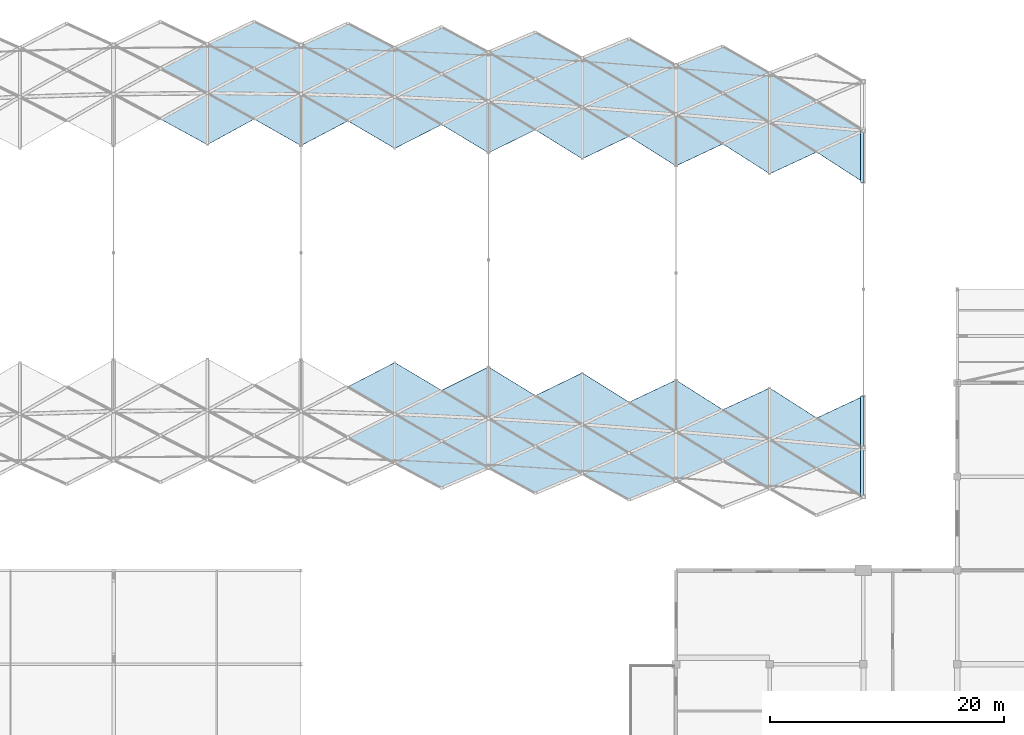
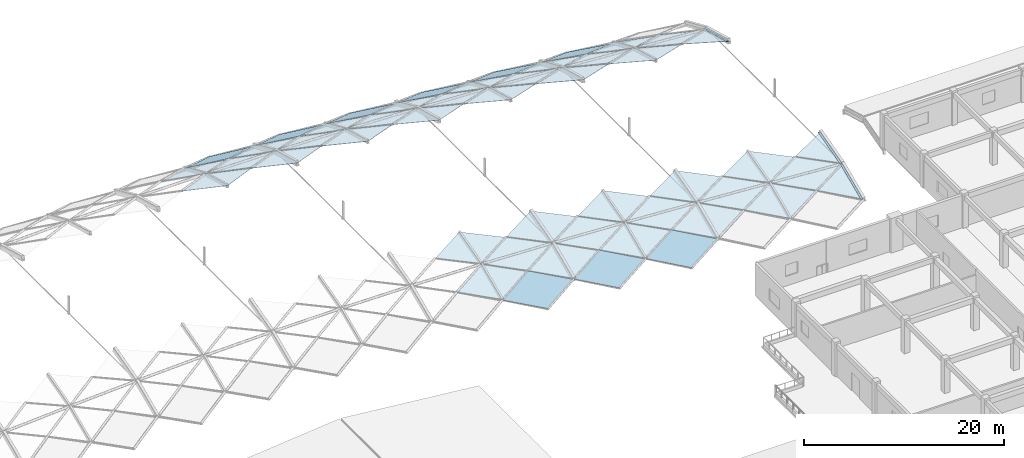
# One storey, part 33 of 54: 51 plates.
"""IFC4 building model written with IfcOpenShell, lengths in metres."""

from ifc_helpers import new_model, si_unit, direction, frame, origin, place, context, subcontext, project, spatial, polyline, outline, extrude, material, layer, layer_set, type_object, element, save


model = new_model("IFC4")

# Units and contexts
model_context = context("Model", 3, precision=1e-05, world=origin(), true_north=direction((0.0, 1.0)))
body_context = subcontext(model_context, "Body", "Model", "MODEL_VIEW")
ifc_project = project(units=[si_unit("LENGTHUNIT", "METRE"), si_unit("AREAUNIT", "SQUARE_METRE"), si_unit("VOLUMEUNIT", "CUBIC_METRE"), si_unit("PLANEANGLEUNIT", "RADIAN"), si_unit("MASSUNIT", "GRAM", prefix="KILO")], contexts=[model_context])

# Site, building, storey
site_placement = place(None, origin())
site = spatial("IfcSite", under=ifc_project, at=site_placement, CompositionType="ELEMENT")
building_placement = place(site_placement, origin())
building = spatial("IfcBuilding", under=site, at=building_placement, Name="Kenh Van Central Station", CompositionType="ELEMENT")
storey_placement = place(building_placement, frame((0.0, 0.0, 15.0)))
storey = spatial("IfcBuildingStorey", under=building, at=storey_placement, Name="L03", CompositionType="ELEMENT", Elevation=15.0)

# Plates
ifc_material_1 = material(Name="White fluoropolymer structural steel S355", Category="steel")
ifc_layer_1 = layer(ifc_material_1, 0.008056640625, Name="White fluoropolymer structural steel S355")
ifc_layer_set_1 = layer_set([ifc_layer_1], Name="White fluoropolymer structural steel S355")
plate_type_1 = type_object("IfcPlateType", Name="PLT-FASCIA-SH1", PredefinedType="SHEET", material=ifc_layer_set_1)
plate_1_placement = place(storey_placement, frame((144.0, 70.26953125, 2.228515625), z_axis=(0.0, -0.401679525559, 0.91578030048), x_axis=(-1.0, 0.0, 0.0)))
element("IfcPlate", 1, at=plate_1_placement, inside=storey, type_object=plate_type_1, Name="Vault portal arch trim plate 15", PredefinedType="SHEET", context=body_context, shape_type="SweptSolid", body=[
    extrude(outline(polyline([(0.0, 0.0), (0.260009765625, 0.0), (0.260009765625, -4.5822006220298945), (0.0, -4.5822006220298945), (0.0, 0.0)])), origin(), (0.0, 0.0, -1.0), 0.008056640625),
])
plate_2_placement = place(storey_placement, frame((144.0, 97.113037109375, 5.28173828125), z_axis=(0.0, 0.264514030829, 0.964381836979), x_axis=(-1.0, 0.0, 0.0)))
element("IfcPlate", 2, at=plate_2_placement, inside=storey, type_object=plate_type_1, Name="Vault portal arch trim plate 21", PredefinedType="SHEET", context=body_context, shape_type="SweptSolid", body=[
    extrude(outline(polyline([(0.0, 0.0), (0.260009765625, 0.0), (0.260009765625, -4.58443161059), (0.0, -4.58443161059), (0.0, 0.0)])), origin(), (0.0, 0.0, -1.0), 0.008056640625),
])
ifc_layer_2 = layer(ifc_material_1, 0.010009765625, Name="White fluoropolymer structural steel S355")
ifc_layer_set_2 = layer_set([ifc_layer_2], Name="White fluoropolymer structural steel S355")
plate_type_2 = type_object("IfcPlateType", Name="PLT-FASCIA-SH2", PredefinedType="SHEET", material=ifc_layer_set_2)
plate_3_placement = place(storey_placement, frame((144.0, 74.4658203125, 4.069091796875), z_axis=(0.0, -0.264514030829, 0.964381836979), x_axis=(-1.0, 0.0, 0.0)))
element("IfcPlate", 3, at=plate_3_placement, inside=storey, type_object=plate_type_2, Name="Vault portal arch trim plate 16", PredefinedType="SHEET", context=body_context, shape_type="SweptSolid", body=[
    extrude(outline(polyline([(0.0, 0.0), (0.260009765625, 0.0), (0.260009765625, -4.58443161059), (0.0, -4.58443161059), (0.0, 0.0)])), origin(), (0.0, 0.0, -1.0), 0.010009765625),
])
ifc_material_2 = material(Name="Double-glazed low-E laminated solar glass", Category="glass")
ifc_layer_3 = layer(ifc_material_2, 0.02490234375, Name="Double-glazed low-E laminated solar glass")
ifc_layer_set_3 = layer_set([ifc_layer_3], Name="Double-glazed low-E laminated solar glass")
plate_type_3 = type_object("IfcPlateType", Name="PLT-VAULT-GLZ2", PredefinedType="SHEET", material=ifc_layer_set_3)
plate_4_placement = place(storey_placement, frame((84.011962890625, 102.513916015625, 4.713134765625), z_axis=(0.0, 0.264666223811, 0.964340080041), x_axis=(0.869914389763, -0.475615181245, 0.130534109919)))
element("IfcPlate", 4, at=plate_4_placement, inside=storey, type_object=plate_type_3, Name="Vault planar diamond skylight pane 127", PredefinedType="SHEET", context=body_context, shape_type="SweptSolid", body=[
    extrude(outline(polyline([(0.0, 0.0), (4.5844018173562295, 3.885780586188048e-16), (6.938501736710333, 3.9338217540549683), (2.3351116527120626, 3.9673133887323937), (0.0, 0.0)])), origin(), (0.0, 0.0, -1.0), 0.02490234375),
])
plate_5_placement = place(storey_placement, frame((96.01123046875, 108.823974609375, 2.181396484375), z_axis=(0.014362297566, 0.485228812285, 0.874269251511), x_axis=(0.860170492492, -0.451793967057, 0.236619811465)))
element("IfcPlate", 5, at=plate_5_placement, inside=storey, type_object=plate_type_3, Name="Vault planar diamond skylight pane 158", PredefinedType="SHEET", context=body_context, shape_type="SweptSolid", body=[
    extrude(outline(polyline([(0.0, 0.0), (4.63803703359129, 0.0), (6.967445008751172, 3.8894994074707343), (2.315378106504137, 3.9189206154655465), (0.0, 0.0)])), origin(), (0.0, 0.0, -1.0), 0.02490234375),
])
plate_6_placement = place(storey_placement, frame((100.012451171875, 79.687255859375, 4.708251953125), z_axis=(-0.010275838675, -0.264339881512, 0.964374841118), x_axis=(0.855569987113, -0.501523066409, -0.128353461237)))
element("IfcPlate", 6, at=plate_6_placement, inside=storey, type_object=plate_type_3, Name="Vault planar diamond skylight pane 162", PredefinedType="SHEET", context=body_context, shape_type="SweptSolid", body=[
    extrude(outline(polyline([(0.0, 0.0), (4.660122010327915, 0.0), (6.979591253248856, 3.8728803508679075), (2.2995879690794343, 3.9019705568386867), (0.0, 0.0)])), origin(), (0.0, 0.0, -1.0), 0.02490234375),
])
plate_7_placement = place(storey_placement, frame((100.01123046875, 106.67333984375, 3.1962890625), z_axis=(0.015617906656, 0.401761425559, 0.915611182722), x_axis=(0.856374799829, -0.478053927754, 0.195157998498)))
element("IfcPlate", 7, at=plate_7_placement, inside=storey, type_object=plate_type_3, Name="Vault planar diamond skylight pane 166", PredefinedType="SHEET", context=body_context, shape_type="SweptSolid", body=[
    extrude(outline(polyline([(0.0, 0.0), (4.658592997894369, -2.7755575615628914e-16), (6.97873369107624, 3.8744254210920173), (2.305721096640206, 3.9040264780513465), (0.0, 0.0)])), origin(), (0.0, 0.0, -1.0), 0.02490234375),
])
plate_8_placement = place(storey_placement, frame((104.0126953125, 77.36279296875, 4.027587890625), z_axis=(-0.015676217949, -0.328928735007, 0.944224625541), x_axis=(0.85253572201, -0.497813194777, -0.15926351058)))
element("IfcPlate", 8, at=plate_8_placement, inside=storey, type_object=plate_type_3, Name="Vault planar diamond skylight pane 170", PredefinedType="SHEET", context=body_context, shape_type="SweptSolid", body=[
    extrude(outline(polyline([(0.0, 0.0), (4.6761372861753285, -4.163336342344337e-16), (6.98912040584648, 3.861923406293924), (2.2937041012917625, 3.8877831180898847), (0.0, 0.0)])), origin(), (0.0, 0.0, -1.0), 0.02490234375),
])
plate_9_placement = place(storey_placement, frame((104.011474609375, 104.404296875, 4.032958984375), z_axis=(0.015688863397, 0.329183993772, 0.944135455223), x_axis=(0.852656596405, -0.497587698616, 0.159321093372)))
element("IfcPlate", 9, at=plate_9_placement, inside=storey, type_object=plate_type_3, Name="Vault planar diamond skylight pane 175", PredefinedType="SHEET", context=body_context, shape_type="SweptSolid", body=[
    extrude(outline(polyline([(0.0, 0.0), (4.678335481696261, -3.0531133177191805e-16), (6.98979062370452, 3.8602058199515605), (2.2967138860079808, 3.8884810908047798), (0.0, 0.0)])), origin(), (0.0, 0.0, -1.0), 0.02490234375),
])
plate_10_placement = place(storey_placement, frame((108.01318359375, 75.058349609375, 3.190185546875), z_axis=(-0.022425404079, -0.401445452741, 0.915608349528), x_axis=(0.849970352273, -0.489831478528, -0.193947216789)))
element("IfcPlate", 10, at=plate_10_placement, inside=storey, type_object=plate_type_3, Name="Vault planar diamond skylight pane 179", PredefinedType="SHEET", context=body_context, shape_type="SweptSolid", body=[
    extrude(outline(polyline([(0.0, 0.0), (4.689100081392852, -3.885780586188048e-16), (6.997674281510518, 3.853418652690065), (2.2892830072671844, 3.8752952618223624), (0.0, 0.0)])), origin(), (0.0, 0.0, -1.0), 0.02490234375),
])
plate_11_placement = place(storey_placement, frame((108.011474609375, 102.042724609375, 4.712646484375), z_axis=(0.014780295396, 0.264587534565, 0.964248401306), x_axis=(0.849206229408, -0.512415728061, 0.127588798769)))
element("IfcPlate", 11, at=plate_11_placement, inside=storey, type_object=plate_type_3, Name="Vault planar diamond skylight pane 185", PredefinedType="SHEET", context=body_context, shape_type="SweptSolid", body=[
    extrude(outline(polyline([(0.0, 0.0), (4.697343199760604, 1.1102230246251565e-16), (7.001642143178656, 3.8462043577893867), (2.2897923312062733, 3.873240409964336), (0.0, 0.0)])), origin(), (0.0, 0.0, -1.0), 0.02490234375),
])
plate_12_placement = place(storey_placement, frame((112.013916015625, 72.80078125, 2.17431640625), z_axis=(-0.030742623135, -0.484776521844, 0.874097600381), x_axis=(0.848082098209, -0.475461965035, -0.233864649962)))
element("IfcPlate", 12, at=plate_12_placement, inside=storey, type_object=plate_type_3, Name="Vault planar diamond skylight pane 189", PredefinedType="SHEET", context=body_context, shape_type="SweptSolid", body=[
    extrude(outline(polyline([(0.0, 0.0), (4.697813526272688, -6.106226635438361e-16), (7.004593396355527, 3.848224434300018), (2.286909369144366, 3.8653155048055847), (0.0, 0.0)])), origin(), (0.0, 0.0, -1.0), 0.02490234375),
])
plate_13_placement = place(storey_placement, frame((120.010009765625, 107.69775390625, 2.1796875), z_axis=(0.03677527877, 0.484845987658, 0.873826039394), x_axis=(0.843934091483, -0.483359804605, 0.232676918762)))
element("IfcPlate", 13, at=plate_13_placement, inside=storey, type_object=plate_type_3, Name="Vault planar diamond skylight pane 214", PredefinedType="SHEET", context=body_context, shape_type="SweptSolid", body=[
    extrude(outline(polyline([(0.0, 0.0), (4.7301607543328466, 3.885780586188048e-16), (7.023704190566742, 3.8277069838210678), (2.2904823565069705, 3.8471338570978713), (0.0, 0.0)])), origin(), (0.0, 0.0, -1.0), 0.02490234375),
])
plate_14_placement = place(storey_placement, frame((124.0126953125, 78.36865234375, 4.70947265625), z_axis=(-0.021340828094, -0.26439319448, 0.964178825617), x_axis=(0.839164659406, -0.528967054217, -0.126477389111)))
element("IfcPlate", 14, at=plate_14_placement, inside=storey, type_object=plate_type_3, Name="Vault planar diamond skylight pane 218", PredefinedType="SHEET", context=body_context, shape_type="SweptSolid", body=[
    extrude(outline(polyline([(0.0, 0.0), (4.75064415700801, -8.049116928532385e-16), (7.033787974797785, 3.815503059845927), (2.2716061238212166, 3.827929357460039), (0.0, 0.0)])), origin(), (0.0, 0.0, -1.0), 0.02490234375),
])
plate_15_placement = place(storey_placement, frame((124.010498046875, 105.354248046875, 3.194580078125), z_axis=(0.032408349188, 0.401509582089, 0.915281243331), x_axis=(0.840825621841, -0.506031070613, 0.192210377531)))
element("IfcPlate", 15, at=plate_15_placement, inside=storey, type_object=plate_type_3, Name="Vault planar diamond skylight pane 224", PredefinedType="SHEET", context=body_context, shape_type="SweptSolid", body=[
    extrude(outline(polyline([(0.0, 0.0), (4.746484446716924, -3.885780586188048e-16), (7.032269775082967, 3.818300496891004), (2.2823264765625324, 3.83452292278976), (0.0, 0.0)])), origin(), (0.0, 0.0, -1.0), 0.02490234375),
])
plate_16_placement = place(storey_placement, frame((128.01318359375, 75.866943359375, 4.029296875), z_axis=(-0.027810558906, -0.328954004153, 0.943936351649), x_axis=(0.838105015443, -0.522327402701, -0.157334253984)))
element("IfcPlate", 16, at=plate_16_placement, inside=storey, type_object=plate_type_3, Name="Vault planar diamond skylight pane 228", PredefinedType="SHEET", context=body_context, shape_type="SweptSolid", body=[
    extrude(outline(polyline([(0.0, 0.0), (4.755481655432128, 1.942890293094024e-16), (7.037001743356491, 3.814848492764037), (2.270437124421518, 3.822925814107153), (0.0, 0.0)])), origin(), (0.0, 0.0, -1.0), 0.02490234375),
])
plate_17_placement = place(storey_placement, frame((128.0107421875, 102.908447265625, 4.03125), z_axis=(0.027814590633, 0.329001692963, 0.943919612348), x_axis=(0.83838807205, -0.521911437005, 0.15720652839)))
element("IfcPlate", 17, at=plate_17_placement, inside=storey, type_object=plate_type_3, Name="Vault planar diamond skylight pane 233", PredefinedType="SHEET", context=body_context, shape_type="SweptSolid", body=[
    extrude(outline(polyline([(0.0, 0.0), (4.759702128586649, 2.7755575615628914e-17), (7.038978931366312, 3.8111990452517057), (2.276601876383706, 3.824284764329206), (0.0, 0.0)])), origin(), (0.0, 0.0, -1.0), 0.02490234375),
])
plate_18_placement = place(storey_placement, frame((132.013671875, 73.404296875, 3.192138671875), z_axis=(-0.035054185392, -0.401409126102, 0.915227795452), x_axis=(0.837726976786, -0.511181175157, -0.192112775553)))
element("IfcPlate", 18, at=plate_18_placement, inside=storey, type_object=plate_type_3, Name="Vault planar diamond skylight pane 237", PredefinedType="SHEET", context=body_context, shape_type="SweptSolid", body=[
    extrude(outline(polyline([(0.0, 0.0), (4.756463239844262, -4.996003610813204e-16), (7.037827203201824, 3.8173166889762213), (2.270909178149466, 3.8208383536115673), (0.0, 0.0)])), origin(), (0.0, 0.0, -1.0), 0.02490234375),
])
plate_19_placement = place(storey_placement, frame((132.01123046875, 100.389404296875, 4.711181640625), z_axis=(0.023097866136, 0.264496069629, 0.964110117015), x_axis=(0.836491185565, -0.533238752711, 0.126249471601)))
element("IfcPlate", 19, at=plate_19_placement, inside=storey, type_object=plate_type_3, Name="Vault planar diamond skylight pane 241", PredefinedType="SHEET", context=body_context, shape_type="SweptSolid", body=[
    extrude(outline(polyline([(0.0, 0.0), (4.7693314812680025, -4.163336342344337e-16), (7.043334275850741, 3.8071460077977193), (2.2718491131060046, 3.8157941620144733), (0.0, 0.0)])), origin(), (0.0, 0.0, -1.0), 0.02490234375),
])
plate_20_placement = place(storey_placement, frame((143.994140625, 74.475830078125, 4.072021484375), z_axis=(-0.005531373093, -0.264471598298, 0.964377611522), x_axis=(-0.000106988298, 0.96439251595, 0.264475072047)))
element("IfcPlate", 20, at=plate_20_placement, inside=storey, type_object=plate_type_3, Name="Vault border triangle skylight pane 261", PredefinedType="SHEET", context=body_context, shape_type="SweptSolid", body=[
    extrude(outline(polyline([(0.0, 0.0), (4.563875304617426, 0.0), (2.626689627849688, 3.9819576487429296), (0.0, 0.0)])), origin(), (0.0, 0.0, -1.0), 0.02490234375),
])
ifc_layer_4 = layer(ifc_material_2, 0.029052734375, Name="Double-glazed low-E laminated solar glass")
ifc_layer_set_4 = layer_set([ifc_layer_4], Name="Double-glazed low-E laminated solar glass")
plate_type_4 = type_object("IfcPlateType", Name="PLT-VAULT-GLZ4", PredefinedType="SHEET", material=ifc_layer_set_4)
plate_21_placement = place(storey_placement, frame((84.011962890625, 106.83349609375, 3.19677734375), z_axis=(0.0, 0.40185534472, 0.915703162559), x_axis=(0.869931562876, -0.451599581875, 0.198183989168)))
element("IfcPlate", 21, at=plate_21_placement, inside=storey, type_object=plate_type_4, Name="Vault planar diamond skylight pane 128", PredefinedType="SHEET", context=body_context, shape_type="SweptSolid", body=[
    extrude(outline(polyline([(0.0, 0.0), (4.584311317766768, 0.0), (6.938638710732195, 3.9335801485335335), (2.3362711512525105, 3.9654304561385), (0.0, 0.0)])), origin(), (0.0, 0.0, -1.0), 0.029052734375),
])
plate_22_placement = place(storey_placement, frame((88.011962890625, 104.7216796875, 4.033447265625), z_axis=(0.003295351297, 0.329222726413, 0.944246544644), x_axis=(0.866376477488, -0.47248343129, 0.161713346426)))
element("IfcPlate", 22, at=plate_22_placement, inside=storey, type_object=plate_type_4, Name="Vault planar diamond skylight pane 137", PredefinedType="SHEET", context=body_context, shape_type="SweptSolid", body=[
    extrude(outline(polyline([(0.0, 0.0), (4.603404545619102, -1.1102230246251565e-16), (6.9477918029969645, 3.917706977607288), (2.326282191759612, 3.950584817991956), (0.0, 0.0)])), origin(), (0.0, 0.0, -1.0), 0.029052734375),
])
plate_23_placement = place(storey_placement, frame((92.01171875, 102.513671875, 4.713134765625), z_axis=(0.005272816272, 0.264612761281, 0.964340336176), x_axis=(0.862695964345, -0.488879775966, 0.12943043597)))
element("IfcPlate", 23, at=plate_23_placement, inside=storey, type_object=plate_type_4, Name="Vault planar diamond skylight pane 147", PredefinedType="SHEET", context=body_context, shape_type="SweptSolid", body=[
    extrude(outline(polyline([(0.0, 0.0), (4.623326888171276, 1.3877787807814457e-16), (6.9586274143781, 3.9013491203600887), (2.317063477711645, 3.9343921436014124), (0.0, 0.0)])), origin(), (0.0, 0.0, -1.0), 0.029052734375),
])
plate_24_placement = place(storey_placement, frame((104.0107421875, 108.586669921875, 2.18115234375), z_axis=(0.023147091959, 0.485126112093, 0.874137785191), x_axis=(0.853997260889, -0.464182360561, 0.234996626653)))
element("IfcPlate", 24, at=plate_24_placement, inside=storey, type_object=plate_type_4, Name="Vault planar diamond skylight pane 176", PredefinedType="SHEET", context=body_context, shape_type="SweptSolid", body=[
    extrude(outline(polyline([(0.0, 0.0), (4.672704137484873, 2.220446049250313e-16), (6.987936389649326, 3.8640654131781877), (2.304175365693011, 3.891619161513148), (0.0, 0.0)])), origin(), (0.0, 0.0, -1.0), 0.029052734375),
])
plate_25_placement = place(storey_placement, frame((108.012451171875, 79.3759765625, 4.70849609375), z_axis=(-0.014760320932, -0.264374827212, 0.964307048436), x_axis=(0.849101591397, -0.512601695601, -0.127538187043)))
element("IfcPlate", 25, at=plate_25_placement, inside=storey, type_object=plate_type_4, Name="Vault planar diamond skylight pane 180", PredefinedType="SHEET", context=body_context, shape_type="SweptSolid", body=[
    extrude(outline(polyline([(0.0, 0.0), (4.695622406945721, 3.3306690738754696e-16), (7.000765254812828, 3.8477719543484077), (2.2873141422832903, 3.8727425945657648), (0.0, 0.0)])), origin(), (0.0, 0.0, -1.0), 0.029052734375),
])
plate_26_placement = place(storey_placement, frame((108.010986328125, 106.362060546875, 3.196044921875), z_axis=(0.02246814865, 0.401708999835, 0.915491704904), x_axis=(0.850234164695, -0.489400904921, 0.193877846718)))
element("IfcPlate", 26, at=plate_26_placement, inside=storey, type_object=plate_type_4, Name="Vault planar diamond skylight pane 186", PredefinedType="SHEET", context=body_context, shape_type="SweptSolid", body=[
    extrude(outline(polyline([(0.0, 0.0), (4.692811035380664, -4.996003610813204e-16), (6.999539290579169, 3.850029927449469), (2.29492068442406, 3.876538506171014), (0.0, 0.0)])), origin(), (0.0, 0.0, -1.0), 0.029052734375),
])
plate_27_placement = place(storey_placement, frame((112.012939453125, 76.981201171875, 4.028076171875), z_axis=(-0.020829186535, -0.328897788357, 0.944135789917), x_axis=(0.846564000718, -0.508186249432, -0.158354439714)))
element("IfcPlate", 27, at=plate_27_placement, inside=storey, type_object=plate_type_4, Name="Vault planar diamond skylight pane 190", PredefinedType="SHEET", context=body_context, shape_type="SweptSolid", body=[
    extrude(outline(polyline([(0.0, 0.0), (4.7085445139860695, -7.771561172376096e-16), (7.0089558724405805, 3.84024097680894), (2.282809514269419, 3.860913773304038), (0.0, 0.0)])), origin(), (0.0, 0.0, -1.0), 0.029052734375),
])
plate_28_placement = place(storey_placement, frame((112.01123046875, 104.022705078125, 4.032470703125), z_axis=(0.020843379711, 0.329121901962, 0.944057374936), x_axis=(0.846755616532, -0.507865360678, 0.158359405454)))
element("IfcPlate", 28, at=plate_28_placement, inside=storey, type_object=plate_type_4, Name="Vault planar diamond skylight pane 195", PredefinedType="SHEET", context=body_context, shape_type="SweptSolid", body=[
    extrude(outline(polyline([(0.0, 0.0), (4.711515691604965, -2.7755575615628914e-17), (7.010322124837619, 3.837746329265907), (2.287248294075653, 3.8616704844055385), (0.0, 0.0)])), origin(), (0.0, 0.0, -1.0), 0.029052734375),
])
plate_29_placement = place(storey_placement, frame((116.013427734375, 74.611083984375, 3.190673828125), z_axis=(-0.028113799649, -0.401432619983, 0.915456971071), x_axis=(0.844634836805, -0.499334147298, -0.193021765089)))
element("IfcPlate", 29, at=plate_29_placement, inside=storey, type_object=plate_type_4, Name="Vault planar diamond skylight pane 199", PredefinedType="SHEET", context=body_context, shape_type="SweptSolid", body=[
    extrude(outline(polyline([(0.0, 0.0), (4.718144566985065, 4.996003610813204e-16), (7.015795079938265, 3.835154014751107), (2.280304777120284, 3.8516056763599757), (0.0, 0.0)])), origin(), (0.0, 0.0, -1.0), 0.029052734375),
])
plate_30_placement = place(storey_placement, frame((116.01123046875, 101.595703125, 4.712158203125), z_axis=(0.018524438012, 0.264507600458, 0.964205670226), x_axis=(0.843664546116, -0.521658362682, 0.126896360354)))
element("IfcPlate", 30, at=plate_30_placement, inside=storey, type_object=plate_type_4, Name="Vault planar diamond skylight pane 203", PredefinedType="SHEET", context=body_context, shape_type="SweptSolid", body=[
    extrude(outline(polyline([(0.0, 0.0), (4.728776781828117, 4.163336342344337e-16), (7.020526136578026, 3.826486598195834), (2.2813165238732998, 3.848348872909284), (0.0, 0.0)])), origin(), (0.0, 0.0, -1.0), 0.029052734375),
])
plate_31_placement = place(storey_placement, frame((120.01416015625, 72.29345703125, 2.175048828125), z_axis=(-0.036804059984, -0.484677176768, 0.873918471878), x_axis=(0.843469469209, -0.484047421537, -0.232932067811)))
element("IfcPlate", 31, at=plate_31_placement, inside=storey, type_object=plate_type_4, Name="Vault planar diamond skylight pane 207", PredefinedType="SHEET", context=body_context, shape_type="SweptSolid", body=[
    extrude(outline(polyline([(0.0, 0.0), (4.722925605937839, -1.1102230246251565e-16), (7.0204756311017205, 3.833663879829985), (2.2798784774376557, 3.8450804327706964), (0.0, 0.0)])), origin(), (0.0, 0.0, -1.0), 0.029052734375),
])
plate_32_placement = place(storey_placement, frame((128.009521484375, 107.09033203125, 2.178955078125), z_axis=(0.040986942055, 0.484809339945, 0.873658957765), x_axis=(0.840673911783, -0.489292564626, 0.232077918489)))
element("IfcPlate", 32, at=plate_32_placement, inside=storey, type_object=plate_type_4, Name="Vault planar diamond skylight pane 234", PredefinedType="SHEET", context=body_context, shape_type="SweptSolid", body=[
    extrude(outline(polyline([(0.0, 0.0), (4.749665417933082, 1.1102230246251565e-16), (7.035215517928348, 3.818141586563613), (2.2874164842557065, 3.8328682613363063), (0.0, 0.0)])), origin(), (0.0, 0.0, -1.0), 0.029052734375),
])
plate_33_placement = place(storey_placement, frame((132.0126953125, 77.72265625, 4.7099609375), z_axis=(-0.023088470771, -0.264396575029, 0.964137632099), x_axis=(0.836334878005, -0.533479320642, -0.126268706653)))
element("IfcPlate", 33, at=plate_33_placement, inside=storey, type_object=plate_type_4, Name="Vault planar diamond skylight pane 238", PredefinedType="SHEET", context=body_context, shape_type="SweptSolid", body=[
    extrude(outline(polyline([(0.0, 0.0), (4.766720016760082, -3.608224830031759e-16), (7.042459302021508, 3.8092755285656357), (2.268218089777276, 3.814972262128215), (0.0, 0.0)])), origin(), (0.0, 0.0, -1.0), 0.029052734375),
])
plate_34_placement = place(storey_placement, frame((132.01025390625, 104.708251953125, 3.19384765625), z_axis=(0.035058100835, 0.401453962239, 0.915207979515), x_axis=(0.838111414501, -0.510636387001, 0.19188469755)))
element("IfcPlate", 34, at=plate_34_placement, inside=storey, type_object=plate_type_4, Name="Vault planar diamond skylight pane 242", PredefinedType="SHEET", context=body_context, shape_type="SweptSolid", body=[
    extrude(outline(polyline([(0.0, 0.0), (4.762440671270002, -3.3306690738754696e-16), (7.040514043909713, 3.8123589080219205), (2.2795314484740095, 3.82267452439496), (0.0, 0.0)])), origin(), (0.0, 0.0, -1.0), 0.029052734375),
])
plate_35_placement = place(storey_placement, frame((136.01318359375, 75.1904296875, 4.030029296875), z_axis=(-0.029283647549, -0.328987883567, 0.943879992612), x_axis=(0.836063001092, -0.525611279673, -0.157262331428)))
element("IfcPlate", 35, at=plate_35_placement, inside=storey, type_object=plate_type_4, Name="Vault planar diamond skylight pane 246", PredefinedType="SHEET", context=body_context, shape_type="SweptSolid", body=[
    extrude(outline(polyline([(0.0, 0.0), (4.767097088847712, 2.220446049250313e-16), (7.041664025135528, 3.812711926292936), (2.2679828116020047, 3.8138390960340036), (0.0, 0.0)])), origin(), (0.0, 0.0, -1.0), 0.029052734375),
])
plate_36_placement = place(storey_placement, frame((136.0107421875, 102.23193359375, 4.03076171875), z_axis=(0.029283647549, 0.328987883567, 0.943879992612), x_axis=(0.836356188236, -0.525191180871, 0.157106810592)))
element("IfcPlate", 36, at=plate_36_placement, inside=storey, type_object=plate_type_4, Name="Vault planar diamond skylight pane 251", PredefinedType="SHEET", context=body_context, shape_type="SweptSolid", body=[
    extrude(outline(polyline([(0.0, 0.0), (4.7712700404535076, -2.7755575615628914e-16), (7.043704253820882, 3.80894143568655), (2.274197962682962, 3.8151765174876897), (0.0, 0.0)])), origin(), (0.0, 0.0, -1.0), 0.029052734375),
])
ifc_layer_5 = layer(ifc_material_2, 0.034912109375, Name="Double-glazed low-E laminated solar glass")
ifc_layer_set_5 = layer_set([ifc_layer_5], Name="Double-glazed low-E laminated solar glass")
plate_type_5 = type_object("IfcPlateType", Name="PLT-VAULT-GLZ6", PredefinedType="SHEET", material=ifc_layer_set_5)
plate_37_placement = place(storey_placement, frame((88.01171875, 108.904296875, 2.181640625), z_axis=(0.004857187545, 0.48527314101, 0.874349121543), x_axis=(0.866717055422, -0.438158000145, 0.238367600043)))
element("IfcPlate", 37, at=plate_37_placement, inside=storey, type_object=plate_type_5, Name="Vault planar diamond skylight pane 138", PredefinedType="SHEET", context=body_context, shape_type="SweptSolid", body=[
    extrude(outline(polyline([(0.0, 0.0), (4.601877217923168, -1.6653345369377348e-16), (6.947979459637995, 3.9178712123445454), (2.3296686264318165, 3.9483859232161422), (0.0, 0.0)])), origin(), (0.0, 0.0, -1.0), 0.034912109375),
])
plate_38_placement = place(storey_placement, frame((92.01171875, 106.833251953125, 3.196533203125), z_axis=(0.008019370891, 0.401817220308, 0.915684777177), x_axis=(0.86305858364, -0.46526856698, 0.196608854799)))
element("IfcPlate", 38, at=plate_38_placement, inside=storey, type_object=plate_type_5, Name="Vault planar diamond skylight pane 148", PredefinedType="SHEET", context=body_context, shape_type="SweptSolid", body=[
    extrude(outline(polyline([(0.0, 0.0), (4.621383424776477, 2.220446049250313e-16), (6.957669915676686, 3.902567482122973), (2.3193348286356907, 3.9339500663359743), (0.0, 0.0)])), origin(), (0.0, 0.0, -1.0), 0.034912109375),
])
plate_39_placement = place(storey_placement, frame((96.01171875, 104.64111328125, 4.033203125), z_axis=(0.009733085729, 0.329161674621, 0.944223415831), x_axis=(0.859344310935, -0.485585119577, 0.160419596403)))
element("IfcPlate", 39, at=plate_39_placement, inside=storey, type_object=plate_type_5, Name="Vault planar diamond skylight pane 157", PredefinedType="SHEET", context=body_context, shape_type="SweptSolid", body=[
    extrude(outline(polyline([(0.0, 0.0), (4.641642808840322, -3.885780586188048e-16), (6.968504521346544, 3.887085103647237), (2.309880554971237, 3.918489314941963), (0.0, 0.0)])), origin(), (0.0, 0.0, -1.0), 0.034912109375),
])
plate_40_placement = place(storey_placement, frame((100.0126953125, 75.36962890625, 3.189697265625), z_axis=(-0.015607647817, -0.40149752297, 0.915727110213), x_axis=(0.856233496975, -0.478320646804, -0.195124466683)))
element("IfcPlate", 40, at=plate_40_placement, inside=storey, type_object=plate_type_5, Name="Vault planar diamond skylight pane 161", PredefinedType="SHEET", context=body_context, shape_type="SweptSolid", body=[
    extrude(outline(polyline([(0.0, 0.0), (4.655941370308694, -2.7755575615628914e-16), (6.97768934756272, 3.876305927487715), (2.302022213464514, 3.9033447142943847), (0.0, 0.0)])), origin(), (0.0, 0.0, -1.0), 0.034912109375),
])
plate_41_placement = place(storey_placement, frame((100.01171875, 102.35400390625, 4.712890625), z_axis=(0.010286360122, 0.26460244002, 0.964302721935), x_axis=(0.855636698381, -0.50138414969, 0.128451449285)))
element("IfcPlate", 41, at=plate_41_placement, inside=storey, type_object=plate_type_5, Name="Vault planar diamond skylight pane 165", PredefinedType="SHEET", context=body_context, shape_type="SweptSolid", body=[
    extrude(outline(polyline([(0.0, 0.0), (4.661469387580013, 5.828670879282072e-16), (6.97987137927673, 3.871872582541326), (2.301393804980696, 3.902350023059939), (0.0, 0.0)])), origin(), (0.0, 0.0, -1.0), 0.034912109375),
])
plate_42_placement = place(storey_placement, frame((104.013427734375, 73.182373046875, 2.173828125), z_axis=(-0.023105393364, -0.484812589079, 0.874312812595), x_axis=(0.853717447572, -0.464649431954, -0.235090248834)))
element("IfcPlate", 42, at=plate_42_placement, inside=storey, type_object=plate_type_5, Name="Vault planar diamond skylight pane 169", PredefinedType="SHEET", context=body_context, shape_type="SweptSolid", body=[
    extrude(outline(polyline([(0.0, 0.0), (4.667945829760187, -2.7755575615628914e-16), (6.985939496512359, 3.8676744685365096), (2.297353607652088, 3.8902804340246995), (0.0, 0.0)])), origin(), (0.0, 0.0, -1.0), 0.034912109375),
])
plate_43_placement = place(storey_placement, frame((112.01025390625, 108.205078125, 2.180419921875), z_axis=(0.030731733542, 0.485026925039, 0.873959062279), x_axis=(0.848467230537, -0.474856054838, 0.233698707504)))
element("IfcPlate", 43, at=plate_43_placement, inside=storey, type_object=plate_type_5, Name="Vault planar diamond skylight pane 196", PredefinedType="SHEET", context=body_context, shape_type="SweptSolid", body=[
    extrude(outline(polyline([(0.0, 0.0), (4.704313704517342, -5.551115123125783e-17), (7.007416126744475, 3.8430819809168737), (2.2961366568636654, 3.867209788493015), (0.0, 0.0)])), origin(), (0.0, 0.0, -1.0), 0.034912109375),
])
plate_44_placement = place(storey_placement, frame((116.0126953125, 78.928955078125, 4.708984375), z_axis=(-0.018517468053, -0.264408077493, 0.964233100414), x_axis=(0.843514071561, -0.521897483312, -0.126913466553)))
element("IfcPlate", 44, at=plate_44_placement, inside=storey, type_object=plate_type_5, Name="Vault planar diamond skylight pane 200", PredefinedType="SHEET", context=body_context, shape_type="SweptSolid", body=[
    extrude(outline(polyline([(0.0, 0.0), (4.726146956965016, 5.273559366969494e-16), (7.0194595116455245, 3.8284429060541934), (2.277676330346936, 3.8475530309898978), (0.0, 0.0)])), origin(), (0.0, 0.0, -1.0), 0.034912109375),
])
plate_45_placement = place(storey_placement, frame((116.0107421875, 105.914794921875, 3.1953125), z_axis=(0.028129124131, 0.401651435915, 0.915360517175), x_axis=(0.844943439736, -0.498849184802, 0.192925048838)))
element("IfcPlate", 45, at=plate_45_placement, inside=storey, type_object=plate_type_5, Name="Vault planar diamond skylight pane 204", PredefinedType="SHEET", context=body_context, shape_type="SweptSolid", body=[
    extrude(outline(polyline([(0.0, 0.0), (4.722776230002649, -2.7755575615628914e-16), (7.017985622803593, 3.831144048279776), (2.287193166294763, 3.8529682148723596), (0.0, 0.0)])), origin(), (0.0, 0.0, -1.0), 0.034912109375),
])
plate_46_placement = place(storey_placement, frame((120.012939453125, 76.47412109375, 4.028564453125), z_axis=(-0.024947968487, -0.328914499791, 0.944030111117), x_axis=(0.841677568344, -0.516441466578, -0.157693000939)))
element("IfcPlate", 46, at=plate_46_placement, inside=storey, type_object=plate_type_5, Name="Vault planar diamond skylight pane 208", PredefinedType="SHEET", context=body_context, shape_type="SweptSolid", body=[
    extrude(outline(polyline([(0.0, 0.0), (4.735879677833187, 1.3877787807814457e-16), (7.025719753901957, 3.824006178108137), (2.2755521297849537, 3.839057995333462), (0.0, 0.0)])), origin(), (0.0, 0.0, -1.0), 0.034912109375),
])
plate_47_placement = place(storey_placement, frame((120.010986328125, 103.515625, 4.031982421875), z_axis=(0.024961344329, 0.329090847152, 0.943968296931), x_axis=(0.84191148917, -0.516072264278, 0.157652981091)))
element("IfcPlate", 47, at=plate_47_placement, inside=storey, type_object=plate_type_5, Name="Vault planar diamond skylight pane 213", PredefinedType="SHEET", context=body_context, shape_type="SweptSolid", body=[
    extrude(outline(polyline([(0.0, 0.0), (4.739206428998387, 4.718447854656915e-16), (7.027362163587195, 3.8209870887455915), (2.2806651916217016, 3.8399409277970364), (0.0, 0.0)])), origin(), (0.0, 0.0, -1.0), 0.034912109375),
])
plate_48_placement = place(storey_placement, frame((124.013671875, 74.05029296875, 3.19140625), z_axis=(-0.032385660512, -0.401380701411, 0.915338572075), x_axis=(0.84046376347, -0.506562274663, -0.192393669806)))
element("IfcPlate", 48, at=plate_48_placement, inside=storey, type_object=plate_type_5, Name="Vault planar diamond skylight pane 217", PredefinedType="SHEET", context=body_context, shape_type="SweptSolid", body=[
    extrude(outline(polyline([(0.0, 0.0), (4.740977766078011, 2.7755575615628914e-16), (7.029601881979465, 3.823168837454397), (2.2741134910121534, 3.8330809769192378), (0.0, 0.0)])), origin(), (0.0, 0.0, -1.0), 0.034912109375),
])
plate_49_placement = place(storey_placement, frame((124.01123046875, 101.03515625, 4.711669921875), z_axis=(0.021341868912, 0.26450639505, 0.964147754034), x_axis=(0.839363994116, -0.528656513615, 0.126453058459)))
element("IfcPlate", 49, at=plate_49_placement, inside=storey, type_object=plate_type_5, Name="Vault planar diamond skylight pane 223", PredefinedType="SHEET", context=body_context, shape_type="SweptSolid", body=[
    extrude(outline(polyline([(0.0, 0.0), (4.753004710914409, 4.163336342344337e-16), (7.035048891032728, 3.8131364622303825), (2.275429161314256, 3.828749490651916), (0.0, 0.0)])), origin(), (0.0, 0.0, -1.0), 0.034912109375),
])
plate_50_placement = place(storey_placement, frame((143.994140625, 70.279052734375, 2.232666015625), z_axis=(-0.011873285745, -0.401661906554, 0.915711055906), x_axis=(-0.000107045718, 0.915776114206, 0.401689055354)))
element("IfcPlate", 50, at=plate_50_placement, inside=storey, type_object=plate_type_5, Name="Vault border triangle skylight pane 259", PredefinedType="SHEET", context=body_context, shape_type="SweptSolid", body=[
    extrude(outline(polyline([(0.0, 0.0), (4.561427218893031, 0.0), (2.608039506183288, 3.982179281316553), (0.0, 0.0)])), origin(), (0.0, 0.0, -1.0), 0.034912109375),
])
plate_51_placement = place(storey_placement, frame((143.994140625, 97.123291015625, 5.279296875), z_axis=(0.041812970297, 0.264261725553, 0.963544195106), x_axis=(-0.000106993817, 0.964388773901, -0.264488716823)))
element("IfcPlate", 51, at=plate_51_placement, inside=storey, type_object=plate_type_5, Name="Vault border triangle skylight pane 271", PredefinedType="SHEET", context=body_context, shape_type="SweptSolid", body=[
    extrude(outline(polyline([(0.0, 0.0), (4.563639857682618, -6.938893903907228e-18), (2.62678357137955, 3.985382102227094), (0.0, 0.0)])), origin(), (0.0, 0.0, -1.0), 0.034912109375),
])

save(model, "model.ifc")
